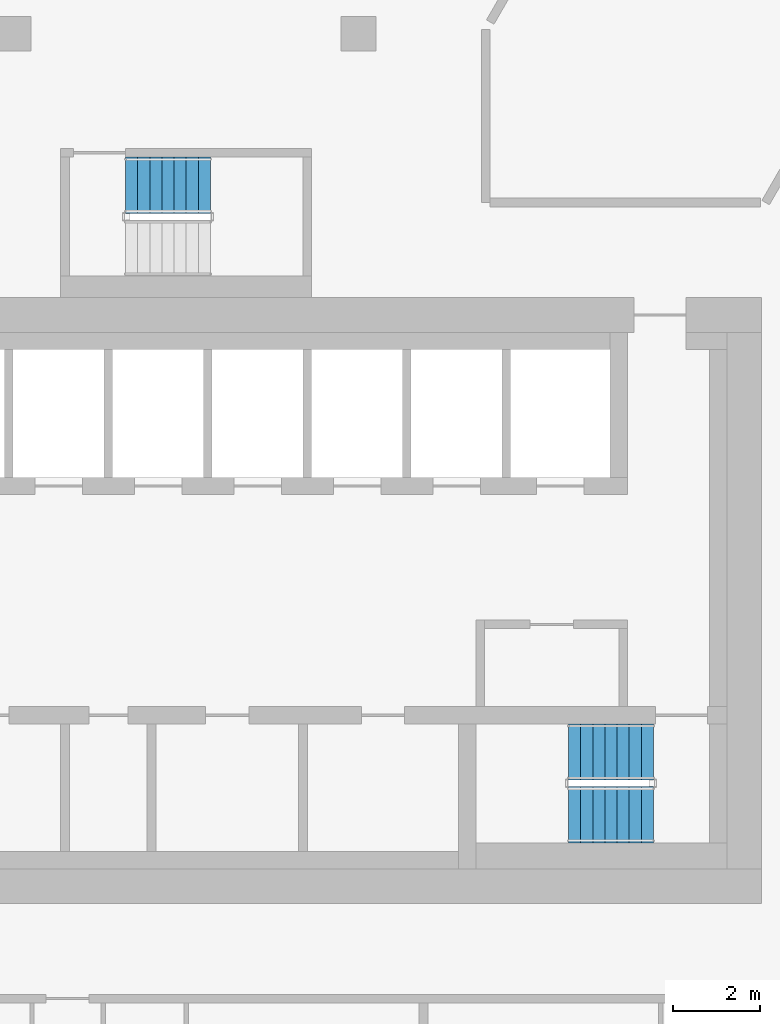
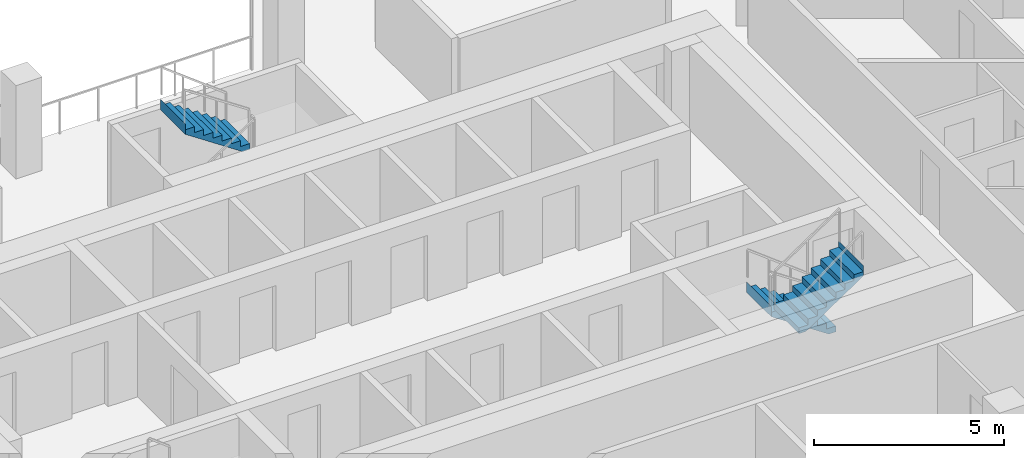
# One storey, part 13 of 17: 3 stair flights, 2 elements without a shape of their own.
"""IFC4 building model written with IfcOpenShell, lengths in metres."""

import ifcopenshell
import ifcopenshell.guid

model = None  # the IFC model being written
_history = None  # IfcOwnerHistory: only IFC2X3 demands one
_inside = {}  # id of a spatial element -> (the spatial element, [elements in it])
_under = {}  # id of a project, library or spatial element -> (it, [spatial elements below it])
_declared = {}  # id of a project -> (the project, [libraries it declares])
_typed = {}  # id of a type object -> (the type object, [elements of that type])
_made_of = {}  # id of a material, layer set ... -> (it, [elements and type objects made of it])


def new_model(schema):
    """Start an empty IFC model of exactly this schema.

    Asked for "IFC4X3", IfcOpenShell would pick the latest addendum, in which some entities
    have other attributes; the version numbers below select the first issue.
    IFC2X3 requires an IfcOwnerHistory on every rooted entity: one is made here for all.
    """
    global model, _history
    if schema == "IFC4X3":
        model = ifcopenshell.file(schema_version=(4, 3, 0, 0))
    else:
        model = ifcopenshell.file(schema=schema)
    _inside.clear()
    _under.clear()
    _declared.clear()
    _typed.clear()
    _made_of.clear()
    _history = None
    if model.schema == "IFC2X3":
        org = make("IfcOrganization", Name="unknown")
        user = make(
            "IfcPersonAndOrganization",
            ThePerson=make("IfcPerson", FamilyName="unknown"),
            TheOrganization=org,
        )
        app = make(
            "IfcApplication",
            ApplicationDeveloper=org,
            Version="unknown",
            ApplicationFullName="unknown",
            ApplicationIdentifier="unknown",
        )
        _history = make(
            "IfcOwnerHistory",
            OwningUser=user,
            OwningApplication=app,
            ChangeAction="ADDED",
            CreationDate=0,
        )
    return model


def make(cls, **values):
    """One entity of the class cls with the attributes given. An attribute that is None is left unset."""
    return model.create_entity(
        cls, **{name: value for name, value in values.items() if value is not None}
    )


def rooted(cls, **values):
    """An entity with a GlobalId (a new one), such as an element, a storey or a relation."""
    return make(cls, GlobalId=ifcopenshell.guid.new(), OwnerHistory=_history, **values)


def si_unit(unit_type, name, prefix=None):
    """IfcSIUnit, for example si_unit("LENGTHUNIT", "METRE", prefix="MILLI")."""
    return make("IfcSIUnit", UnitType=unit_type, Prefix=prefix, Name=name)


def assignment(units):
    """IfcUnitAssignment: the units of a project."""
    return None if units is None else make("IfcUnitAssignment", Units=units)


def point(xyz):
    """IfcCartesianPoint."""
    return None if xyz is None else make("IfcCartesianPoint", Coordinates=xyz)


def direction(xyz):
    """IfcDirection."""
    return None if xyz is None else make("IfcDirection", DirectionRatios=xyz)


def frame(location, z_axis=None, x_axis=None):
    """IfcAxis2Placement3D, a coordinate frame: its origin and axes. An axis left out is left unset."""
    return make(
        "IfcAxis2Placement3D",
        Location=point(location),
        Axis=direction(z_axis),
        RefDirection=direction(x_axis),
    )


def origin():
    """The frame at (0, 0, 0) with its axes left unset."""
    return frame((0.0, 0.0, 0.0))


def place(relative_to, where):
    """IfcLocalPlacement: puts the frame where relative to a parent placement (None: the world)."""
    return make(
        "IfcLocalPlacement", PlacementRelTo=relative_to, RelativePlacement=where
    )


def context(
    kind, dimensions, precision=None, world=None, true_north=None, identifier=None
):
    """IfcGeometricRepresentationContext, for example the 3D "Model" context."""
    return make(
        "IfcGeometricRepresentationContext",
        ContextIdentifier=identifier,
        ContextType=kind,
        CoordinateSpaceDimension=dimensions,
        Precision=precision,
        WorldCoordinateSystem=world,
        TrueNorth=true_north,
    )


def subcontext(parent, identifier, kind, view, scale=None):
    """IfcGeometricRepresentationSubContext, for example "Body" below "Model"."""
    return make(
        "IfcGeometricRepresentationSubContext",
        ContextIdentifier=identifier,
        ContextType=kind,
        ParentContext=parent,
        TargetScale=scale,
        TargetView=view,
    )


def project(units=None, contexts=None):
    """IfcProject with its units and contexts."""
    return rooted(
        "IfcProject",
        Name="project",
        RepresentationContexts=contexts,
        UnitsInContext=assignment(units),
    )


def spatial(cls, under=None, at=None, **own):
    """A site, building, storey or space (cls), placed at a placement, below another one or the project."""
    s = rooted(cls, ObjectPlacement=at, **own)
    if under is not None:
        _under.setdefault(under.id(), (under, []))[1].append(s)
    return s


def point_list(points):
    """IfcCartesianPointList2D or 3D."""
    cls = (
        "IfcCartesianPointList2D" if len(points[0]) == 2 else "IfcCartesianPointList3D"
    )
    return make(cls, CoordList=points)


def triangles(points, corners, closed=None, point_numbers=None):
    """IfcTriangulatedFaceSet: each triangle names its three corners, points numbered from 1."""
    return make(
        "IfcTriangulatedFaceSet",
        Coordinates=point_list(points),
        Closed=closed,
        CoordIndex=corners,
        PnIndex=point_numbers,
    )


def shape(context_of_items, identifier, shape_type, items):
    """IfcShapeRepresentation: the items that make up one representation, for example the "Body"."""
    return make(
        "IfcShapeRepresentation",
        ContextOfItems=context_of_items,
        RepresentationIdentifier=identifier,
        RepresentationType=shape_type,
        Items=items,
    )


def material(Name=None, Category=None):
    """IfcMaterial."""
    return make("IfcMaterial", Name=Name, Category=Category)


def made_of(thing, what):
    """Note that an element or type object is made of a material, layer set ...; save() writes the relation."""
    if what is not None:
        _made_of.setdefault(what.id(), (what, []))[1].append(thing)
    return thing


def type_object(cls, material=None, **own):
    """A type object (cls), such as IfcWallType, which elements share."""
    return made_of(rooted(cls, **own), material)


def element(
    cls,
    number,
    at=None,
    inside=None,
    cuts=None,
    type_object=None,
    material=None,
    context=None,
    identifier="Body",
    shape_type=None,
    held_by="IfcProductDefinitionShape",
    body=None,
    shapes=None,
    **own,
):
    """One element of the class cls, such as IfcWall. Its Tag is "e" and its number.

    at: its placement. inside: the storey or other place that contains it. cuts: it is an
    opening in that element (IfcRelVoidsElement). A single representation is given by context,
    identifier, shape_type and body (its items); several are given by shapes. held_by: the class
    of the entity that holds the representations. save() writes the other relations.
    """
    e = rooted(cls, Tag="e%d" % number, ObjectPlacement=at, **own)
    if body is not None:
        shapes = [shape(context, identifier, shape_type, body)]
    if shapes is not None:
        e.Representation = make(held_by, Representations=shapes)
    if inside is not None:
        _inside.setdefault(inside.id(), (inside, []))[1].append(e)
    if cuts is not None:
        rooted(
            "IfcRelVoidsElement", RelatingBuildingElement=cuts, RelatedOpeningElement=e
        )
    if type_object is not None:
        _typed.setdefault(type_object.id(), (type_object, []))[1].append(e)
    return made_of(e, material)


def aggregate(whole, parts):
    """IfcRelAggregates: a whole, such as a stair, and the parts it consists of."""
    return rooted("IfcRelAggregates", RelatingObject=whole, RelatedObjects=parts)


def save(model, path):
    """Write the relations noted so far, then the file.

    IfcRelAggregates (storeys below a building ...), IfcRelContainedInSpatialStructure (elements
    in a storey), IfcRelDefinesByType, IfcRelAssociatesMaterial and IfcRelDeclares: one each for
    every whole, place, type object, material and project.
    """
    for whole, parts in _under.values():
        aggregate(whole, parts)
    for where, things in _inside.values():
        rooted(
            "IfcRelContainedInSpatialStructure",
            RelatedElements=things,
            RelatingStructure=where,
        )
    for kind, things in _typed.values():
        rooted("IfcRelDefinesByType", RelatedObjects=things, RelatingType=kind)
    for what, things in _made_of.values():
        rooted("IfcRelAssociatesMaterial", RelatedObjects=things, RelatingMaterial=what)
    for by, libraries in _declared.values():
        rooted("IfcRelDeclares", RelatingContext=by, RelatedDefinitions=libraries)
    model.write(path)


model = new_model("IFC4")

# Units and contexts
model_context = context("Model", 3, precision=1e-05, world=origin(), true_north=direction((0.0, 1.0)))
body_context = subcontext(model_context, "Body", "Model", "MODEL_VIEW")
ifc_project = project(units=[si_unit("LENGTHUNIT", "METRE"), si_unit("AREAUNIT", "SQUARE_METRE"), si_unit("VOLUMEUNIT", "CUBIC_METRE"), si_unit("PLANEANGLEUNIT", "RADIAN"), si_unit("MASSUNIT", "GRAM", prefix="KILO")], contexts=[model_context])

# Site, building, storey
site_placement = place(None, origin())
site = spatial("IfcSite", under=ifc_project, at=site_placement, CompositionType="ELEMENT")
building_placement = place(site_placement, origin())
building = spatial("IfcBuilding", under=site, at=building_placement, Name="Beryl Residences", CompositionType="ELEMENT")
storey_placement = place(building_placement, frame((0.0, 0.0, 126.60009765625)))
storey = spatial("IfcBuildingStorey", under=building, at=storey_placement, Name="L38", CompositionType="ELEMENT", Elevation=126.60009765625)

# Stair, stair flights
ifc_material_1 = material(Name="Concrete C40/50", Category="concrete")
stair_type = type_object("IfcStairType", Name="ST1 protected exit stair, half-turn, 1300 mm flights", PredefinedType="HALF_TURN_STAIR", material=ifc_material_1)
stair_1_placement = place(storey_placement, origin())
stair_1 = element("IfcStair", 1, at=stair_1_placement, inside=storey, type_object=stair_type, Name="L38 PROTECTED EXIT STAIR ST-3", PredefinedType="HALF_TURN_STAIR")
ifc_material_2 = material(Name="Concrete C40/50", Category="concrete")
stair_flight_type = type_object("IfcStairFlightType", Name="SF1 stair flight 1300 mm", PredefinedType="STRAIGHT", material=ifc_material_2)
stair_flight_1_placement = place(storey_placement, frame((10.800048828125, -15.5, 0.0), z_axis=(0.0, 0.0, 1.0), x_axis=(-1.0, 0.0, 0.0)))
stair_flight_1 = element("IfcStairFlight", 2, at=stair_flight_1_placement, type_object=stair_flight_type, Name="ST-3 flight 1", NumberOfRisers=8, NumberOfTreads=7, PredefinedType="STRAIGHT", RiserHeight=0.1875, TreadLength=0.28, context=body_context, shape_type="Tessellation", body=[
    triangles([(0.0, -0.64990234375, 0.0), (0.0, -0.324951171875, 0.0), (0.0, 0.0, 0.0), (0.0, 0.324951171875, 0.0), (0.0, 0.64990234375, 0.0), (0.0, -0.64990234375, 0.1875), (0.0, -0.324951171875, 0.1875), (0.0, 0.0, 0.1875), (0.0, 0.324951171875, 0.1875), (0.0, 0.64990234375, 0.1875), (0.280029296875, -0.64990234375, 0.1875), (0.280029296875, -0.324951171875, 0.1875), (0.280029296875, 0.0, 0.1875), (0.280029296875, 0.324951171875, 0.1875), (0.280029296875, 0.64990234375, 0.1875), (0.280029296875, -0.64990234375, 0.375), (0.280029296875, -0.324951171875, 0.375), (0.280029296875, 0.0, 0.375), (0.280029296875, 0.324951171875, 0.375), (0.280029296875, 0.64990234375, 0.375), (0.56005859375, -0.64990234375, 0.375), (0.56005859375, -0.324951171875, 0.375), (0.56005859375, 0.0, 0.375), (0.56005859375, 0.324951171875, 0.375), (0.56005859375, 0.64990234375, 0.375), (0.56005859375, -0.64990234375, 0.5625), (0.56005859375, -0.324951171875, 0.5625), (0.56005859375, 0.0, 0.5625), (0.56005859375, 0.324951171875, 0.5625), (0.56005859375, 0.64990234375, 0.5625), (0.840087890625, -0.64990234375, 0.5625), (0.840087890625, -0.324951171875, 0.5625), (0.840087890625, 0.0, 0.5625), (0.840087890625, 0.324951171875, 0.5625), (0.840087890625, 0.64990234375, 0.5625), (0.840087890625, -0.64990234375, 0.75), (0.840087890625, -0.324951171875, 0.75), (0.840087890625, 0.0, 0.75), (0.840087890625, 0.324951171875, 0.75), (0.840087890625, 0.64990234375, 0.75), (1.1201171875, -0.64990234375, 0.75), (1.1201171875, -0.324951171875, 0.75), (1.1201171875, 0.0, 0.75), (1.1201171875, 0.324951171875, 0.75), (1.1201171875, 0.64990234375, 0.75), (1.1201171875, -0.64990234375, 0.9375), (1.1201171875, -0.324951171875, 0.9375), (1.1201171875, 0.0, 0.9375), (1.1201171875, 0.324951171875, 0.9375), (1.1201171875, 0.64990234375, 0.9375), (1.39990234375, -0.64990234375, 0.9375), (1.39990234375, -0.324951171875, 0.9375), (1.39990234375, 0.0, 0.9375), (1.39990234375, 0.324951171875, 0.9375), (1.39990234375, 0.64990234375, 0.9375), (1.39990234375, -0.64990234375, 1.125), (1.39990234375, -0.324951171875, 1.125), (1.39990234375, 0.0, 1.125), (1.39990234375, 0.324951171875, 1.125), (1.39990234375, 0.64990234375, 1.125), (1.679931640625, -0.64990234375, 1.125), (1.679931640625, -0.324951171875, 1.125), (1.679931640625, 0.0, 1.125), (1.679931640625, 0.324951171875, 1.125), (1.679931640625, 0.64990234375, 1.125), (1.679931640625, -0.64990234375, 1.3125), (1.679931640625, -0.324951171875, 1.3125), (1.679931640625, 0.0, 1.3125), (1.679931640625, 0.324951171875, 1.3125), (1.679931640625, 0.64990234375, 1.3125), (1.9599609375, -0.64990234375, 1.3125), (1.9599609375, -0.324951171875, 1.3125), (1.9599609375, 0.0, 1.3125), (1.9599609375, 0.324951171875, 1.3125), (1.9599609375, 0.64990234375, 1.3125), (1.9599609375, -0.64990234375, 1.5), (1.9599609375, -0.324951171875, 1.5), (1.9599609375, 0.0, 1.5), (1.9599609375, 0.324951171875, 1.5), (1.9599609375, 0.64990234375, 1.5), (1.9609375, -0.64990234375, 1.5), (1.9609375, -0.324951171875, 1.5), (1.9609375, 0.0, 1.5), (1.9609375, 0.324951171875, 1.5), (1.9609375, 0.64990234375, 1.5), (1.9609375, -0.64990234375, 1.16796875), (1.9609375, -0.324951171875, 1.16796875), (1.9609375, 0.0, 1.16796875), (1.9609375, 0.324951171875, 1.16796875), (1.9609375, 0.64990234375, 1.16796875), (0.216796875, -0.64990234375, 0.0), (0.216796875, -0.324951171875, 0.0), (0.216796875, 0.0, 0.0), (0.216796875, 0.324951171875, 0.0), (0.216796875, 0.64990234375, 0.0)], [[1, 6, 7], [1, 7, 2], [2, 7, 8], [2, 8, 3], [3, 8, 9], [3, 9, 4], [4, 9, 10], [4, 10, 5], [6, 11, 12], [6, 12, 7], [7, 12, 13], [7, 13, 8], [8, 13, 14], [8, 14, 9], [9, 14, 15], [9, 15, 10], [11, 16, 17], [11, 17, 12], [12, 17, 18], [12, 18, 13], [13, 18, 19], [13, 19, 14], [14, 19, 20], [14, 20, 15], [16, 21, 22], [16, 22, 17], [17, 22, 23], [17, 23, 18], [18, 23, 24], [18, 24, 19], [19, 24, 25], [19, 25, 20], [21, 26, 27], [21, 27, 22], [22, 27, 28], [22, 28, 23], [23, 28, 29], [23, 29, 24], [24, 29, 30], [24, 30, 25], [26, 31, 32], [26, 32, 27], [27, 32, 33], [27, 33, 28], [28, 33, 34], [28, 34, 29], [29, 34, 35], [29, 35, 30], [31, 36, 37], [31, 37, 32], [32, 37, 38], [32, 38, 33], [33, 38, 39], [33, 39, 34], [34, 39, 40], [34, 40, 35], [36, 41, 42], [36, 42, 37], [37, 42, 43], [37, 43, 38], [38, 43, 44], [38, 44, 39], [39, 44, 45], [39, 45, 40], [41, 46, 47], [41, 47, 42], [42, 47, 48], [42, 48, 43], [43, 48, 49], [43, 49, 44], [44, 49, 50], [44, 50, 45], [46, 51, 52], [46, 52, 47], [47, 52, 53], [47, 53, 48], [48, 53, 54], [48, 54, 49], [49, 54, 55], [49, 55, 50], [51, 56, 57], [51, 57, 52], [52, 57, 58], [52, 58, 53], [53, 58, 59], [53, 59, 54], [54, 59, 60], [54, 60, 55], [56, 61, 62], [56, 62, 57], [57, 62, 63], [57, 63, 58], [58, 63, 64], [58, 64, 59], [59, 64, 65], [59, 65, 60], [61, 66, 67], [61, 67, 62], [62, 67, 68], [62, 68, 63], [63, 68, 69], [63, 69, 64], [64, 69, 70], [64, 70, 65], [66, 71, 72], [66, 72, 67], [67, 72, 73], [67, 73, 68], [68, 73, 74], [68, 74, 69], [69, 74, 75], [69, 75, 70], [71, 76, 77], [71, 77, 72], [72, 77, 78], [72, 78, 73], [73, 78, 79], [73, 79, 74], [74, 79, 80], [74, 80, 75], [76, 81, 82], [76, 82, 77], [77, 82, 83], [77, 83, 78], [78, 83, 84], [78, 84, 79], [79, 84, 85], [79, 85, 80], [81, 86, 87], [81, 87, 82], [82, 87, 88], [82, 88, 83], [83, 88, 89], [83, 89, 84], [84, 89, 90], [84, 90, 85], [86, 91, 92], [86, 92, 87], [87, 92, 93], [87, 93, 88], [88, 93, 94], [88, 94, 89], [89, 94, 95], [89, 95, 90], [91, 1, 2], [91, 2, 92], [92, 2, 3], [92, 3, 93], [93, 3, 4], [93, 4, 94], [94, 4, 5], [94, 5, 95], [1, 91, 86], [5, 90, 95], [86, 81, 76], [90, 80, 85], [86, 76, 71], [90, 75, 80], [86, 71, 66], [90, 70, 75], [86, 66, 61], [90, 65, 70], [61, 56, 51], [65, 55, 60], [86, 61, 51], [90, 55, 65], [51, 46, 41], [55, 45, 50], [86, 51, 41], [90, 45, 55], [41, 36, 31], [45, 35, 40], [86, 41, 31], [90, 35, 45], [31, 26, 21], [35, 25, 30], [86, 31, 21], [90, 25, 35], [21, 16, 11], [25, 15, 20], [86, 21, 11], [90, 15, 25], [1, 86, 11], [5, 15, 90], [11, 6, 1], [15, 5, 10]], closed=True),
])
stair_flight_2_placement = place(storey_placement, frame((8.840087890625, -16.949951171875, 1.5), z_axis=(0.0, 0.0, 1.0), x_axis=(1.0, 0.0, 0.0)))
stair_flight_2 = element("IfcStairFlight", 3, at=stair_flight_2_placement, type_object=stair_flight_type, Name="ST-3 flight 2", NumberOfRisers=8, NumberOfTreads=7, PredefinedType="STRAIGHT", RiserHeight=0.1875, TreadLength=0.28, context=body_context, shape_type="Tessellation", body=[
    triangles([(0.0, -0.64990234375, 0.0), (0.0, -0.324951171875, 0.0), (0.0, 0.0, 0.0), (0.0, 0.324951171875, 0.0), (0.0, 0.64990234375, 0.0), (0.0, -0.64990234375, 0.1875), (0.0, -0.324951171875, 0.1875), (0.0, 0.0, 0.1875), (0.0, 0.324951171875, 0.1875), (0.0, 0.64990234375, 0.1875), (0.280029296875, -0.64990234375, 0.1875), (0.280029296875, -0.324951171875, 0.1875), (0.280029296875, 0.0, 0.1875), (0.280029296875, 0.324951171875, 0.1875), (0.280029296875, 0.64990234375, 0.1875), (0.280029296875, -0.64990234375, 0.375), (0.280029296875, -0.324951171875, 0.375), (0.280029296875, 0.0, 0.375), (0.280029296875, 0.324951171875, 0.375), (0.280029296875, 0.64990234375, 0.375), (0.56005859375, -0.64990234375, 0.375), (0.56005859375, -0.324951171875, 0.375), (0.56005859375, 0.0, 0.375), (0.56005859375, 0.324951171875, 0.375), (0.56005859375, 0.64990234375, 0.375), (0.56005859375, -0.64990234375, 0.5625), (0.56005859375, -0.324951171875, 0.5625), (0.56005859375, 0.0, 0.5625), (0.56005859375, 0.324951171875, 0.5625), (0.56005859375, 0.64990234375, 0.5625), (0.840087890625, -0.64990234375, 0.5625), (0.840087890625, -0.324951171875, 0.5625), (0.840087890625, 0.0, 0.5625), (0.840087890625, 0.324951171875, 0.5625), (0.840087890625, 0.64990234375, 0.5625), (0.840087890625, -0.64990234375, 0.75), (0.840087890625, -0.324951171875, 0.75), (0.840087890625, 0.0, 0.75), (0.840087890625, 0.324951171875, 0.75), (0.840087890625, 0.64990234375, 0.75), (1.1201171875, -0.64990234375, 0.75), (1.1201171875, -0.324951171875, 0.75), (1.1201171875, 0.0, 0.75), (1.1201171875, 0.324951171875, 0.75), (1.1201171875, 0.64990234375, 0.75), (1.1201171875, -0.64990234375, 0.9375), (1.1201171875, -0.324951171875, 0.9375), (1.1201171875, 0.0, 0.9375), (1.1201171875, 0.324951171875, 0.9375), (1.1201171875, 0.64990234375, 0.9375), (1.39990234375, -0.64990234375, 0.9375), (1.39990234375, -0.324951171875, 0.9375), (1.39990234375, 0.0, 0.9375), (1.39990234375, 0.324951171875, 0.9375), (1.39990234375, 0.64990234375, 0.9375), (1.39990234375, -0.64990234375, 1.125), (1.39990234375, -0.324951171875, 1.125), (1.39990234375, 0.0, 1.125), (1.39990234375, 0.324951171875, 1.125), (1.39990234375, 0.64990234375, 1.125), (1.679931640625, -0.64990234375, 1.125), (1.679931640625, -0.324951171875, 1.125), (1.679931640625, 0.0, 1.125), (1.679931640625, 0.324951171875, 1.125), (1.679931640625, 0.64990234375, 1.125), (1.679931640625, -0.64990234375, 1.3125), (1.679931640625, -0.324951171875, 1.3125), (1.679931640625, 0.0, 1.3125), (1.679931640625, 0.324951171875, 1.3125), (1.679931640625, 0.64990234375, 1.3125), (1.9599609375, -0.64990234375, 1.3125), (1.9599609375, -0.324951171875, 1.3125), (1.9599609375, 0.0, 1.3125), (1.9599609375, 0.324951171875, 1.3125), (1.9599609375, 0.64990234375, 1.3125), (1.9599609375, -0.64990234375, 1.5), (1.9599609375, -0.324951171875, 1.5), (1.9599609375, 0.0, 1.5), (1.9599609375, 0.324951171875, 1.5), (1.9599609375, 0.64990234375, 1.5), (1.9609375, -0.64990234375, 1.5), (1.9609375, -0.324951171875, 1.5), (1.9609375, 0.0, 1.5), (1.9609375, 0.324951171875, 1.5), (1.9609375, 0.64990234375, 1.5), (1.9609375, -0.64990234375, 1.16796875), (1.9609375, -0.324951171875, 1.16796875), (1.9609375, 0.0, 1.16796875), (1.9609375, 0.324951171875, 1.16796875), (1.9609375, 0.64990234375, 1.16796875), (0.216796875, -0.64990234375, 0.0), (0.216796875, -0.324951171875, 0.0), (0.216796875, 0.0, 0.0), (0.216796875, 0.324951171875, 0.0), (0.216796875, 0.64990234375, 0.0)], [[1, 6, 7], [1, 7, 2], [2, 7, 8], [2, 8, 3], [3, 8, 9], [3, 9, 4], [4, 9, 10], [4, 10, 5], [6, 11, 12], [6, 12, 7], [7, 12, 13], [7, 13, 8], [8, 13, 14], [8, 14, 9], [9, 14, 15], [9, 15, 10], [11, 16, 17], [11, 17, 12], [12, 17, 18], [12, 18, 13], [13, 18, 19], [13, 19, 14], [14, 19, 20], [14, 20, 15], [16, 21, 22], [16, 22, 17], [17, 22, 23], [17, 23, 18], [18, 23, 24], [18, 24, 19], [19, 24, 25], [19, 25, 20], [21, 26, 27], [21, 27, 22], [22, 27, 28], [22, 28, 23], [23, 28, 29], [23, 29, 24], [24, 29, 30], [24, 30, 25], [26, 31, 32], [26, 32, 27], [27, 32, 33], [27, 33, 28], [28, 33, 34], [28, 34, 29], [29, 34, 35], [29, 35, 30], [31, 36, 37], [31, 37, 32], [32, 37, 38], [32, 38, 33], [33, 38, 39], [33, 39, 34], [34, 39, 40], [34, 40, 35], [36, 41, 42], [36, 42, 37], [37, 42, 43], [37, 43, 38], [38, 43, 44], [38, 44, 39], [39, 44, 45], [39, 45, 40], [41, 46, 47], [41, 47, 42], [42, 47, 48], [42, 48, 43], [43, 48, 49], [43, 49, 44], [44, 49, 50], [44, 50, 45], [46, 51, 52], [46, 52, 47], [47, 52, 53], [47, 53, 48], [48, 53, 54], [48, 54, 49], [49, 54, 55], [49, 55, 50], [51, 56, 57], [51, 57, 52], [52, 57, 58], [52, 58, 53], [53, 58, 59], [53, 59, 54], [54, 59, 60], [54, 60, 55], [56, 61, 62], [56, 62, 57], [57, 62, 63], [57, 63, 58], [58, 63, 64], [58, 64, 59], [59, 64, 65], [59, 65, 60], [61, 66, 67], [61, 67, 62], [62, 67, 68], [62, 68, 63], [63, 68, 69], [63, 69, 64], [64, 69, 70], [64, 70, 65], [66, 71, 72], [66, 72, 67], [67, 72, 73], [67, 73, 68], [68, 73, 74], [68, 74, 69], [69, 74, 75], [69, 75, 70], [71, 76, 77], [71, 77, 72], [72, 77, 78], [72, 78, 73], [73, 78, 79], [73, 79, 74], [74, 79, 80], [74, 80, 75], [76, 81, 82], [76, 82, 77], [77, 82, 83], [77, 83, 78], [78, 83, 84], [78, 84, 79], [79, 84, 85], [79, 85, 80], [81, 86, 87], [81, 87, 82], [82, 87, 88], [82, 88, 83], [83, 88, 89], [83, 89, 84], [84, 89, 90], [84, 90, 85], [86, 91, 92], [86, 92, 87], [87, 92, 93], [87, 93, 88], [88, 93, 94], [88, 94, 89], [89, 94, 95], [89, 95, 90], [91, 1, 2], [91, 2, 92], [92, 2, 3], [92, 3, 93], [93, 3, 4], [93, 4, 94], [94, 4, 5], [94, 5, 95], [1, 91, 86], [5, 90, 95], [86, 81, 76], [90, 80, 85], [86, 76, 71], [90, 75, 80], [86, 71, 66], [90, 70, 75], [86, 66, 61], [90, 65, 70], [61, 56, 51], [65, 55, 60], [86, 61, 51], [90, 55, 65], [51, 46, 41], [55, 45, 50], [86, 51, 41], [90, 45, 55], [41, 36, 31], [45, 35, 40], [86, 41, 31], [90, 35, 45], [31, 26, 21], [35, 25, 30], [86, 31, 21], [90, 25, 35], [21, 16, 11], [25, 15, 20], [86, 21, 11], [90, 15, 25], [1, 86, 11], [5, 15, 90], [11, 6, 1], [15, 5, 10]], closed=True),
])
aggregate(stair_1, [stair_flight_1, stair_flight_2])

# Stair, stair flight
stair_2_placement = place(storey_placement, origin())
stair_2 = element("IfcStair", 4, at=stair_2_placement, inside=storey, type_object=stair_type, Name="L38 PROTECTED EXIT STAIR ST-4", PredefinedType="HALF_TURN_STAIR")
stair_flight_3_placement = place(storey_placement, frame((0.56005859375, -2.39990234375, 1.5), z_axis=(0.0, 0.0, 1.0), x_axis=(-1.0, 0.0, 0.0)))
stair_flight_3 = element("IfcStairFlight", 5, at=stair_flight_3_placement, type_object=stair_flight_type, Name="ST-4 flight 2", NumberOfRisers=8, NumberOfTreads=7, PredefinedType="STRAIGHT", RiserHeight=0.1875, TreadLength=0.28, context=body_context, shape_type="Tessellation", body=[
    triangles([(0.0, -0.64990234375, 0.0), (0.0, -0.324951171875, 0.0), (0.0, 0.0, 0.0), (0.0, 0.324951171875, 0.0), (0.0, 0.64990234375, 0.0), (0.0, -0.64990234375, 0.1875), (0.0, -0.324951171875, 0.1875), (0.0, 0.0, 0.1875), (0.0, 0.324951171875, 0.1875), (0.0, 0.64990234375, 0.1875), (0.280029296875, -0.64990234375, 0.1875), (0.280029296875, -0.324951171875, 0.1875), (0.280029296875, 0.0, 0.1875), (0.280029296875, 0.324951171875, 0.1875), (0.280029296875, 0.64990234375, 0.1875), (0.280029296875, -0.64990234375, 0.375), (0.280029296875, -0.324951171875, 0.375), (0.280029296875, 0.0, 0.375), (0.280029296875, 0.324951171875, 0.375), (0.280029296875, 0.64990234375, 0.375), (0.56005859375, -0.64990234375, 0.375), (0.56005859375, -0.324951171875, 0.375), (0.56005859375, 0.0, 0.375), (0.56005859375, 0.324951171875, 0.375), (0.56005859375, 0.64990234375, 0.375), (0.56005859375, -0.64990234375, 0.5625), (0.56005859375, -0.324951171875, 0.5625), (0.56005859375, 0.0, 0.5625), (0.56005859375, 0.324951171875, 0.5625), (0.56005859375, 0.64990234375, 0.5625), (0.840087890625, -0.64990234375, 0.5625), (0.840087890625, -0.324951171875, 0.5625), (0.840087890625, 0.0, 0.5625), (0.840087890625, 0.324951171875, 0.5625), (0.840087890625, 0.64990234375, 0.5625), (0.840087890625, -0.64990234375, 0.75), (0.840087890625, -0.324951171875, 0.75), (0.840087890625, 0.0, 0.75), (0.840087890625, 0.324951171875, 0.75), (0.840087890625, 0.64990234375, 0.75), (1.1201171875, -0.64990234375, 0.75), (1.1201171875, -0.324951171875, 0.75), (1.1201171875, 0.0, 0.75), (1.1201171875, 0.324951171875, 0.75), (1.1201171875, 0.64990234375, 0.75), (1.1201171875, -0.64990234375, 0.9375), (1.1201171875, -0.324951171875, 0.9375), (1.1201171875, 0.0, 0.9375), (1.1201171875, 0.324951171875, 0.9375), (1.1201171875, 0.64990234375, 0.9375), (1.39990234375, -0.64990234375, 0.9375), (1.39990234375, -0.324951171875, 0.9375), (1.39990234375, 0.0, 0.9375), (1.39990234375, 0.324951171875, 0.9375), (1.39990234375, 0.64990234375, 0.9375), (1.39990234375, -0.64990234375, 1.125), (1.39990234375, -0.324951171875, 1.125), (1.39990234375, 0.0, 1.125), (1.39990234375, 0.324951171875, 1.125), (1.39990234375, 0.64990234375, 1.125), (1.679931640625, -0.64990234375, 1.125), (1.679931640625, -0.324951171875, 1.125), (1.679931640625, 0.0, 1.125), (1.679931640625, 0.324951171875, 1.125), (1.679931640625, 0.64990234375, 1.125), (1.679931640625, -0.64990234375, 1.3125), (1.679931640625, -0.324951171875, 1.3125), (1.679931640625, 0.0, 1.3125), (1.679931640625, 0.324951171875, 1.3125), (1.679931640625, 0.64990234375, 1.3125), (1.9599609375, -0.64990234375, 1.3125), (1.9599609375, -0.324951171875, 1.3125), (1.9599609375, 0.0, 1.3125), (1.9599609375, 0.324951171875, 1.3125), (1.9599609375, 0.64990234375, 1.3125), (1.9599609375, -0.64990234375, 1.5), (1.9599609375, -0.324951171875, 1.5), (1.9599609375, 0.0, 1.5), (1.9599609375, 0.324951171875, 1.5), (1.9599609375, 0.64990234375, 1.5), (1.9609375, -0.64990234375, 1.5), (1.9609375, -0.324951171875, 1.5), (1.9609375, 0.0, 1.5), (1.9609375, 0.324951171875, 1.5), (1.9609375, 0.64990234375, 1.5), (1.9609375, -0.64990234375, 1.16796875), (1.9609375, -0.324951171875, 1.16796875), (1.9609375, 0.0, 1.16796875), (1.9609375, 0.324951171875, 1.16796875), (1.9609375, 0.64990234375, 1.16796875), (0.216796875, -0.64990234375, 0.0), (0.216796875, -0.324951171875, 0.0), (0.216796875, 0.0, 0.0), (0.216796875, 0.324951171875, 0.0), (0.216796875, 0.64990234375, 0.0)], [[1, 6, 7], [1, 7, 2], [2, 7, 8], [2, 8, 3], [3, 8, 9], [3, 9, 4], [4, 9, 10], [4, 10, 5], [6, 11, 12], [6, 12, 7], [7, 12, 13], [7, 13, 8], [8, 13, 14], [8, 14, 9], [9, 14, 15], [9, 15, 10], [11, 16, 17], [11, 17, 12], [12, 17, 18], [12, 18, 13], [13, 18, 19], [13, 19, 14], [14, 19, 20], [14, 20, 15], [16, 21, 22], [16, 22, 17], [17, 22, 23], [17, 23, 18], [18, 23, 24], [18, 24, 19], [19, 24, 25], [19, 25, 20], [21, 26, 27], [21, 27, 22], [22, 27, 28], [22, 28, 23], [23, 28, 29], [23, 29, 24], [24, 29, 30], [24, 30, 25], [26, 31, 32], [26, 32, 27], [27, 32, 33], [27, 33, 28], [28, 33, 34], [28, 34, 29], [29, 34, 35], [29, 35, 30], [31, 36, 37], [31, 37, 32], [32, 37, 38], [32, 38, 33], [33, 38, 39], [33, 39, 34], [34, 39, 40], [34, 40, 35], [36, 41, 42], [36, 42, 37], [37, 42, 43], [37, 43, 38], [38, 43, 44], [38, 44, 39], [39, 44, 45], [39, 45, 40], [41, 46, 47], [41, 47, 42], [42, 47, 48], [42, 48, 43], [43, 48, 49], [43, 49, 44], [44, 49, 50], [44, 50, 45], [46, 51, 52], [46, 52, 47], [47, 52, 53], [47, 53, 48], [48, 53, 54], [48, 54, 49], [49, 54, 55], [49, 55, 50], [51, 56, 57], [51, 57, 52], [52, 57, 58], [52, 58, 53], [53, 58, 59], [53, 59, 54], [54, 59, 60], [54, 60, 55], [56, 61, 62], [56, 62, 57], [57, 62, 63], [57, 63, 58], [58, 63, 64], [58, 64, 59], [59, 64, 65], [59, 65, 60], [61, 66, 67], [61, 67, 62], [62, 67, 68], [62, 68, 63], [63, 68, 69], [63, 69, 64], [64, 69, 70], [64, 70, 65], [66, 71, 72], [66, 72, 67], [67, 72, 73], [67, 73, 68], [68, 73, 74], [68, 74, 69], [69, 74, 75], [69, 75, 70], [71, 76, 77], [71, 77, 72], [72, 77, 78], [72, 78, 73], [73, 78, 79], [73, 79, 74], [74, 79, 80], [74, 80, 75], [76, 81, 82], [76, 82, 77], [77, 82, 83], [77, 83, 78], [78, 83, 84], [78, 84, 79], [79, 84, 85], [79, 85, 80], [81, 86, 87], [81, 87, 82], [82, 87, 88], [82, 88, 83], [83, 88, 89], [83, 89, 84], [84, 89, 90], [84, 90, 85], [86, 91, 92], [86, 92, 87], [87, 92, 93], [87, 93, 88], [88, 93, 94], [88, 94, 89], [89, 94, 95], [89, 95, 90], [91, 1, 2], [91, 2, 92], [92, 2, 3], [92, 3, 93], [93, 3, 4], [93, 4, 94], [94, 4, 5], [94, 5, 95], [1, 91, 86], [5, 90, 95], [86, 81, 76], [90, 80, 85], [86, 76, 71], [90, 75, 80], [86, 71, 66], [90, 70, 75], [86, 66, 61], [90, 65, 70], [61, 56, 51], [65, 55, 60], [86, 61, 51], [90, 55, 65], [51, 46, 41], [55, 45, 50], [86, 51, 41], [90, 45, 55], [41, 36, 31], [45, 35, 40], [86, 41, 31], [90, 35, 45], [31, 26, 21], [35, 25, 30], [86, 31, 21], [90, 25, 35], [21, 16, 11], [25, 15, 20], [86, 21, 11], [90, 15, 25], [1, 86, 11], [5, 15, 90], [11, 6, 1], [15, 5, 10]], closed=True),
])
aggregate(stair_2, [stair_flight_3])

save(model, "model.ifc")
